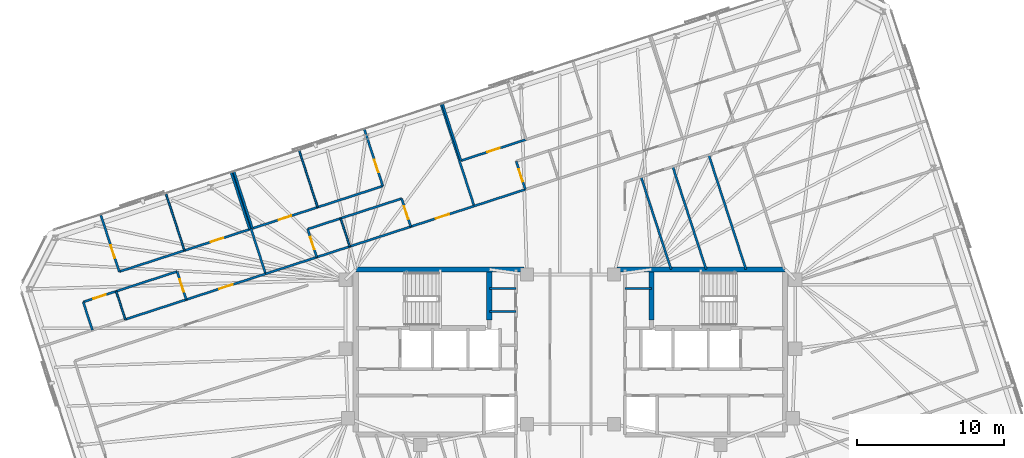
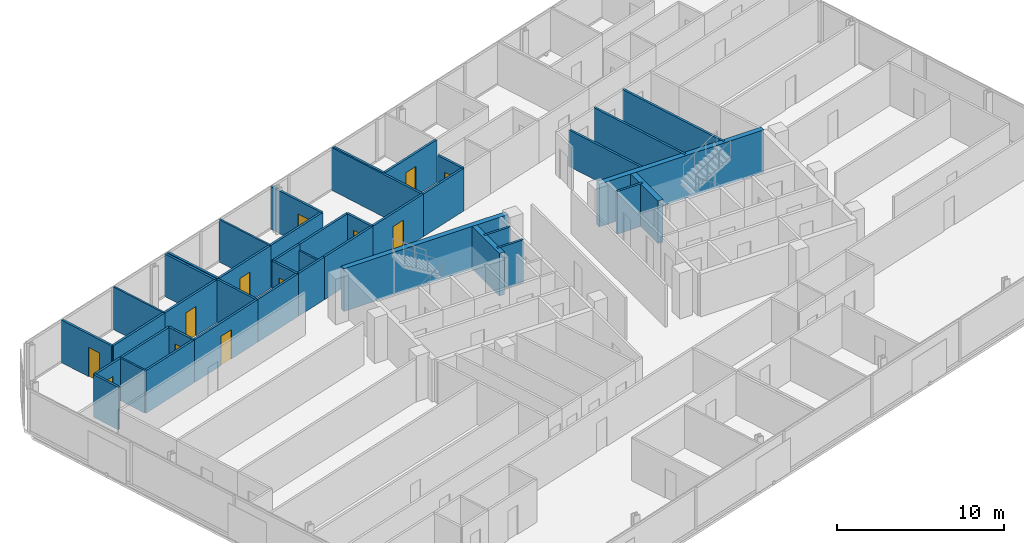
# One storey, part 16 of 20: 42 walls, 12 doors, 12 openings.
"""IFC4 building model written with IfcOpenShell, lengths in metres."""

from ifc_helpers import new_model, si_unit, direction, frame, frame_2d, origin, place, context, subcontext, project, spatial, rectangle, extrude, material, layer, layer_set, type_object, element, fill, save


model = new_model("IFC4")

# Units and contexts
model_context = context("Model", 3, precision=1e-05, world=origin(), true_north=direction((0.0, 1.0)))
body_context = subcontext(model_context, "Body", "Model", "MODEL_VIEW")
ifc_project = project(units=[si_unit("LENGTHUNIT", "METRE"), si_unit("AREAUNIT", "SQUARE_METRE"), si_unit("VOLUMEUNIT", "CUBIC_METRE"), si_unit("PLANEANGLEUNIT", "RADIAN"), si_unit("MASSUNIT", "GRAM", prefix="KILO")], contexts=[model_context])

# Site, building, storey
site_placement = place(None, origin())
site = spatial("IfcSite", under=ifc_project, at=site_placement, CompositionType="ELEMENT")
building_placement = place(site_placement, origin())
building = spatial("IfcBuilding", under=site, at=building_placement, Name="Menara Jurai Vektor", CompositionType="ELEMENT")
storey_placement = place(building_placement, frame((0.0, 0.0, 224.300048828125)))
storey = spatial("IfcBuildingStorey", under=building, at=storey_placement, Name="L59", CompositionType="ELEMENT", Elevation=224.300048828125)

# Walls
ifc_material_1 = material(Name="Gypsum Fireboard Partition", Category="gypsum")
ifc_layer_1 = layer(ifc_material_1, 0.14990234375)
ifc_layer_set_1 = layer_set([ifc_layer_1], Name="Gypsum Fireboard Partition")
wall_type_1 = type_object("IfcWallType", Name="INT-WALL-CORR-150", PredefinedType="PARTITIONING", material=ifc_layer_set_1)
for number, where, z_axis, x_axis, name in (
    (1, (-5.5, 4.300048828125, 0.0), (0.0, 0.0, 1.0), (1.0, 0.0, 0.0), "Interior Wall IW-150 L59"),
    (2, (-5.5, 2.75, 0.0), (0.0, 0.0, 1.0), (1.0, 0.0, 0.0), "Interior Wall IW-150 L59"),
    (3, (3.699951171875, 4.300048828125, 0.0), (0.0, 0.0, 1.0), (1.0, 0.0, 0.0), "Interior Wall IW-150 L59"),
):
    element("IfcWall", number, at=place(storey_placement, frame(where, z_axis=z_axis, x_axis=x_axis)), inside=storey, type_object=wall_type_1, Name=name, PredefinedType="PARTITIONING", context=body_context, shape_type="SweptSolid", body=[
        extrude(rectangle(XDim=1.800048828125, YDim=0.14990234375, at=frame_2d((0.89990234375, 0.0))), origin(), (0.0, 0.0, 1.0), 3.125),
    ])

# Wall, opening, door
wall_1_placement = place(storey_placement, frame((-26.0546875, 3.549560546875, 0.0), z_axis=(0.0, 0.0, 1.0), x_axis=(0.951063554534, 0.308995332064, 0.0)))
wall_1 = element("IfcWall", 4, at=wall_1_placement, inside=storey, type_object=wall_type_1, Name="Interior Wall IW-150 L59", PredefinedType="PARTITIONING", context=body_context, shape_type="SweptSolid", body=[
    extrude(rectangle(XDim=5.657958984375, YDim=0.14990234375, at=frame_2d((2.8291015625, 0.0))), origin(), (0.0, 0.0, 1.0), 3.125),
])
opening_1_placement = place(wall_1_placement, frame((2.35400390625, 0.0, 0.0)))
opening_1 = element("IfcOpeningElement", 5, at=opening_1_placement, cuts=wall_1, Name="Opening D59-10", PredefinedType="OPENING", context=body_context, shape_type="SweptSolid", body=[
    extrude(rectangle(XDim=0.949951171875, YDim=2.14990234375, at=frame_2d((0.47509765625, 1.074951171875))), frame((0.0, 0.0849609375, 0.0), z_axis=(0.0, -1.0, 0.0), x_axis=(1.0, 0.0, 0.0)), (0.0, 0.0, 1.0), 0.169921875),
])
ifc_material_2 = material(Name="Solid Core Timber Fire Door", Category="wood")
door_type_1 = type_object("IfcDoorType", Name="DR-ENTRY-950", OperationType="NOTDEFINED", PredefinedType="DOOR", material=ifc_material_2)
door_1_placement = place(opening_1_placement, origin())
door_1 = element("IfcDoor", 6, at=door_1_placement, inside=storey, type_object=door_type_1, Name="Interior Door D59-10", OperationType="SINGLE_SWING_RIGHT", OverallHeight=2.14990234375, OverallWidth=0.949951171875, PredefinedType="DOOR", context=body_context, shape_type="SweptSolid", body=[
    extrude(rectangle(XDim=0.949951171875, YDim=2.14990234375, at=frame_2d((0.47509765625, 1.074951171875))), frame((0.0, 0.02490234375, 0.0), z_axis=(0.0, -1.0, 0.0), x_axis=(1.0, 0.0, 0.0)), (0.0, 0.0, 1.0), 0.050048828125),
])
fill(opening_1, door_1)

# Walls
wall_2_placement = place(storey_placement, frame((-30.191650390625, 2.205322265625, 0.0), z_axis=(0.0, 0.0, 1.0), x_axis=(0.951052627573, 0.309028962374, 0.0)))
element("IfcWall", 7, at=wall_2_placement, inside=storey, type_object=wall_type_1, Name="Interior Wall IW-150 L59", PredefinedType="PARTITIONING", context=body_context, shape_type="SweptSolid", body=[
    extrude(rectangle(XDim=4.349853515625, YDim=0.14990234375, at=frame_2d((2.1748046875, 0.0))), origin(), (0.0, 0.0, 1.0), 3.125),
])
wall_3_placement = place(storey_placement, frame((-20.673583984375, 5.2978515625, 0.0), z_axis=(0.0, 0.0, 1.0), x_axis=(0.951057168147, 0.309014988174, 0.0)))
element("IfcWall", 8, at=wall_3_placement, inside=storey, type_object=wall_type_1, Name="Interior Wall IW-150 L59", PredefinedType="PARTITIONING", context=body_context, shape_type="SweptSolid", body=[
    extrude(rectangle(XDim=3.650146484375, YDim=0.14990234375, at=frame_2d((1.8251953125, 0.0))), origin(), (0.0, 0.0, 1.0), 3.125),
])

# Wall, opening, door
wall_4_placement = place(storey_placement, frame((-10.830078125, 8.496337890625, 0.0), z_axis=(0.0, 0.0, 1.0), x_axis=(0.951063822327, 0.308994507816, 0.0)))
wall_4 = element("IfcWall", 9, at=wall_4_placement, inside=storey, type_object=wall_type_1, Name="Interior Wall IW-150 L59", PredefinedType="PARTITIONING", context=body_context, shape_type="SweptSolid", body=[
    extrude(rectangle(XDim=4.521728515625, YDim=0.14990234375, at=frame_2d((2.2607421875, 0.0))), origin(), (0.0, 0.0, 1.0), 3.125),
])
opening_2_placement = place(wall_4_placement, frame((1.785888671875, 0.0, 0.0)))
opening_2 = element("IfcOpeningElement", 10, at=opening_2_placement, cuts=wall_4, Name="Opening D59-15", PredefinedType="OPENING", context=body_context, shape_type="SweptSolid", body=[
    extrude(rectangle(XDim=0.949951171875, YDim=2.14990234375, at=frame_2d((0.47509765625, 1.074951171875))), frame((0.0, 0.0849609375, 0.0), z_axis=(0.0, -1.0, 0.0), x_axis=(1.0, 0.0, 0.0)), (0.0, 0.0, 1.0), 0.169921875),
])
door_2_placement = place(opening_2_placement, origin())
door_2 = element("IfcDoor", 11, at=door_2_placement, inside=storey, type_object=door_type_1, Name="Interior Door D59-15", OperationType="SINGLE_SWING_LEFT", OverallHeight=2.14990234375, OverallWidth=0.949951171875, PredefinedType="DOOR", context=body_context, shape_type="SweptSolid", body=[
    extrude(rectangle(XDim=0.949951171875, YDim=2.14990234375, at=frame_2d((0.47509765625, 1.074951171875))), frame((0.0, 0.02490234375, 0.0), z_axis=(0.0, -1.0, 0.0), x_axis=(1.0, 0.0, 0.0)), (0.0, 0.0, 1.0), 0.050048828125),
])
fill(opening_2, door_2)

# Walls
wall_5_placement = place(storey_placement, frame((-17.2021484375, 6.42578125, 0.0), z_axis=(0.0, 0.0, 1.0), x_axis=(0.951035595692, 0.309081373955, 0.0)))
element("IfcWall", 12, at=wall_5_placement, inside=storey, type_object=wall_type_1, Name="Interior Wall IW-150 L59", PredefinedType="PARTITIONING", context=body_context, shape_type="SweptSolid", body=[
    extrude(rectangle(XDim=2.349853515625, YDim=0.14990234375, at=frame_2d((1.1748046875, 0.0))), origin(), (0.0, 0.0, 1.0), 3.125),
])
wall_6_placement = place(storey_placement, frame((-14.96728515625, 7.152099609375, 0.0), z_axis=(0.0, 0.0, 1.0), x_axis=(0.951057987102, 0.309012467661, 0.0)))
element("IfcWall", 13, at=wall_6_placement, inside=storey, type_object=wall_type_1, Name="Interior Wall IW-150 L59", PredefinedType="PARTITIONING", context=body_context, shape_type="SweptSolid", body=[
    extrude(rectangle(XDim=4.35009765625, YDim=0.14990234375, at=frame_2d((2.175048828125, 0.0))), origin(), (0.0, 0.0, 1.0), 3.125),
])
wall_7_placement = place(storey_placement, frame((-6.529541015625, 9.8935546875, 0.0), z_axis=(0.0, 0.0, 1.0), x_axis=(0.951057168147, 0.309014988174, 0.0)))
element("IfcWall", 14, at=wall_7_placement, inside=storey, type_object=wall_type_1, Name="Interior Wall IW-150 L59", PredefinedType="PARTITIONING", context=body_context, shape_type="SweptSolid", body=[
    extrude(rectangle(XDim=3.650146484375, YDim=0.14990234375, at=frame_2d((1.8251953125, 0.0))), origin(), (0.0, 0.0, 1.0), 3.125),
])
wall_8_placement = place(storey_placement, frame((-32.4267578125, 1.47900390625, 0.0), z_axis=(0.0, 0.0, 1.0), x_axis=(-0.309022749039, 0.951054646472, 0.0)))
element("IfcWall", 15, at=wall_8_placement, inside=storey, type_object=wall_type_1, Name="Interior Wall IW-150 L59", PredefinedType="PARTITIONING", context=body_context, shape_type="SweptSolid", body=[
    extrude(rectangle(XDim=2.005126953125, YDim=0.14990234375, at=frame_2d((1.00244140625, 0.0))), origin(), (0.0, 0.0, 1.0), 3.125),
])

# Wall, opening, door
wall_9_placement = place(storey_placement, frame((-33.04638671875, 3.385986328125, 0.0), z_axis=(0.0, 0.0, 1.0), x_axis=(0.951045519245, 0.309050837767, 0.0)))
wall_9 = element("IfcWall", 16, at=wall_9_placement, inside=storey, type_object=wall_type_1, Name="Interior Wall IW-150 L59", PredefinedType="PARTITIONING", context=body_context, shape_type="SweptSolid", body=[
    extrude(rectangle(XDim=2.35009765625, YDim=0.14990234375, at=frame_2d((1.175048828125, 0.0))), origin(), (0.0, 0.0, 1.0), 3.125),
])
opening_3_placement = place(wall_9_placement, frame((0.735107421875, 0.0, 0.0)))
opening_3 = element("IfcOpeningElement", 17, at=opening_3_placement, cuts=wall_9, Name="Opening D59-11", PredefinedType="OPENING", context=body_context, shape_type="SweptSolid", body=[
    extrude(rectangle(XDim=0.8798828125, YDim=2.14990234375, at=frame_2d((0.43994140625, 1.074951171875))), frame((0.0, 0.0849609375, 0.0), z_axis=(0.0, -1.0, 0.0), x_axis=(1.0, 0.0, 0.0)), (0.0, 0.0, 1.0), 0.169921875),
])
ifc_material_3 = material(Name="Moisture-Resistant Timber Door", Category="wood")
door_type_2 = type_object("IfcDoorType", Name="DR-BATH-880", OperationType="NOTDEFINED", PredefinedType="DOOR", material=ifc_material_3)
door_3_placement = place(opening_3_placement, origin())
door_3 = element("IfcDoor", 18, at=door_3_placement, inside=storey, type_object=door_type_2, Name="Interior Door D59-11", OperationType="SINGLE_SWING_LEFT", OverallHeight=2.14990234375, OverallWidth=0.8798828125, PredefinedType="DOOR", context=body_context, shape_type="SweptSolid", body=[
    extrude(rectangle(XDim=0.8798828125, YDim=2.14990234375, at=frame_2d((0.43994140625, 1.074951171875))), frame((0.0, 0.02490234375, 0.0), z_axis=(0.0, -1.0, 0.0), x_axis=(1.0, 0.0, 0.0)), (0.0, 0.0, 1.0), 0.050048828125),
])
fill(opening_3, door_3)

# Wall
wall_10_placement = place(storey_placement, frame((-30.811279296875, 4.1123046875, 0.0), z_axis=(0.0, 0.0, 1.0), x_axis=(0.951069122051, 0.308978195154, 0.0)))
element("IfcWall", 19, at=wall_10_placement, inside=storey, type_object=wall_type_1, Name="Interior Wall IW-150 L59", PredefinedType="PARTITIONING", context=body_context, shape_type="SweptSolid", body=[
    extrude(rectangle(XDim=4.349853515625, YDim=0.14990234375, at=frame_2d((2.1748046875, 0.0))), origin(), (0.0, 0.0, 1.0), 3.125),
])

# Wall, opening, door
wall_11_placement = place(storey_placement, frame((-26.0546875, 3.549560546875, 0.0), z_axis=(0.0, 0.0, 1.0), x_axis=(-0.309058537449, 0.951043017129, 0.0)))
wall_11 = element("IfcWall", 20, at=wall_11_placement, inside=storey, type_object=wall_type_1, Name="Interior Wall IW-150 L59", PredefinedType="PARTITIONING", context=body_context, shape_type="SweptSolid", body=[
    extrude(rectangle(XDim=2.0048828125, YDim=0.14990234375, at=frame_2d((1.00244140625, 0.0))), origin(), (0.0, 0.0, 1.0), 3.125),
])
opening_4_placement = place(wall_11_placement, frame((0.552490234375, 0.0, 0.0)))
opening_4 = element("IfcOpeningElement", 21, at=opening_4_placement, cuts=wall_11, Name="Opening D59-12", PredefinedType="OPENING", context=body_context, shape_type="SweptSolid", body=[
    extrude(rectangle(XDim=0.89990234375, YDim=2.14990234375, at=frame_2d((0.449951171875, 1.074951171875))), frame((0.0, 0.0849609375, 0.0), z_axis=(0.0, -1.0, 0.0), x_axis=(1.0, 0.0, 0.0)), (0.0, 0.0, 1.0), 0.169921875),
])
ifc_material_4 = material(Name="Acoustic Timber Interior Door", Category="wood")
door_type_3 = type_object("IfcDoorType", Name="DR-ROOM-900", OperationType="NOTDEFINED", PredefinedType="DOOR", material=ifc_material_4)
door_4_placement = place(opening_4_placement, origin())
door_4 = element("IfcDoor", 22, at=door_4_placement, inside=storey, type_object=door_type_3, Name="Interior Door D59-12", OperationType="SINGLE_SWING_RIGHT", OverallHeight=2.14990234375, OverallWidth=0.89990234375, PredefinedType="DOOR", context=body_context, shape_type="SweptSolid", body=[
    extrude(rectangle(XDim=0.89990234375, YDim=2.14990234375, at=frame_2d((0.449951171875, 1.074951171875))), frame((0.0, 0.02490234375, 0.0), z_axis=(0.0, -1.0, 0.0), x_axis=(1.0, 0.0, 0.0)), (0.0, 0.0, 1.0), 0.050048828125),
])
fill(opening_4, door_4)

wall_12_placement = place(storey_placement, frame((-30.60400390625, 5.44140625, 0.0), z_axis=(0.0, 0.0, 1.0), x_axis=(-0.309018403393, 0.951056058476, 0.0)))
wall_12 = element("IfcWall", 23, at=wall_12_placement, inside=storey, type_object=wall_type_1, Name="Interior Wall IW-150 L59", PredefinedType="PARTITIONING", context=body_context, shape_type="SweptSolid", body=[
    extrude(rectangle(XDim=4.0791015625, YDim=0.14990234375, at=frame_2d((2.03955078125, 0.0))), origin(), (0.0, 0.0, 1.0), 3.125),
])
opening_5_placement = place(wall_12_placement, frame((0.977783203125, 0.0, 0.0)))
opening_5 = element("IfcOpeningElement", 24, at=opening_5_placement, cuts=wall_12, Name="Opening D59-13", PredefinedType="OPENING", context=body_context, shape_type="SweptSolid", body=[
    extrude(rectangle(XDim=0.89990234375, YDim=2.14990234375, at=frame_2d((0.449951171875, 1.074951171875))), frame((0.0, 0.0849609375, 0.0), z_axis=(0.0, -1.0, 0.0), x_axis=(1.0, 0.0, 0.0)), (0.0, 0.0, 1.0), 0.169921875),
])
door_5_placement = place(opening_5_placement, origin())
door_5 = element("IfcDoor", 25, at=door_5_placement, inside=storey, type_object=door_type_3, Name="Interior Door D59-13", OperationType="SINGLE_SWING_LEFT", OverallHeight=2.14990234375, OverallWidth=0.89990234375, PredefinedType="DOOR", context=body_context, shape_type="SweptSolid", body=[
    extrude(rectangle(XDim=0.89990234375, YDim=2.14990234375, at=frame_2d((0.449951171875, 1.074951171875))), frame((0.0, 0.02490234375, 0.0), z_axis=(0.0, -1.0, 0.0), x_axis=(1.0, 0.0, 0.0)), (0.0, 0.0, 1.0), 0.050048828125),
])
fill(opening_5, door_5)

# Wall
wall_13_placement = place(storey_placement, frame((-30.60400390625, 5.44140625, 0.0), z_axis=(0.0, 0.0, 1.0), x_axis=(0.951070715387, 0.308973290646, 0.0)))
element("IfcWall", 26, at=wall_13_placement, inside=storey, type_object=wall_type_1, Name="Interior Wall IW-150 L59", PredefinedType="PARTITIONING", context=body_context, shape_type="SweptSolid", body=[
    extrude(rectangle(XDim=4.650146484375, YDim=0.14990234375, at=frame_2d((2.3251953125, 0.0))), origin(), (0.0, 0.0, 1.0), 3.125),
])

# Wall, opening, door
wall_14_placement = place(storey_placement, frame((-26.181396484375, 6.878173828125, 0.0), z_axis=(0.0, 0.0, 1.0), x_axis=(0.951050272606, 0.309036209813, 0.0)))
wall_14 = element("IfcWall", 27, at=wall_14_placement, inside=storey, type_object=wall_type_1, Name="Interior Wall IW-150 L59", PredefinedType="PARTITIONING", context=body_context, shape_type="SweptSolid", body=[
    extrude(rectangle(XDim=4.64990234375, YDim=0.14990234375, at=frame_2d((2.324951171875, 0.0))), origin(), (0.0, 0.0, 1.0), 3.125),
])
opening_6_placement = place(wall_14_placement, frame((1.875, 0.0, 0.0)))
opening_6 = element("IfcOpeningElement", 28, at=opening_6_placement, cuts=wall_14, Name="Opening D59-14", PredefinedType="OPENING", context=body_context, shape_type="SweptSolid", body=[
    extrude(rectangle(XDim=0.89990234375, YDim=2.14990234375, at=frame_2d((0.449951171875, 1.074951171875))), frame((0.0, 0.0849609375, 0.0), z_axis=(0.0, -1.0, 0.0), x_axis=(1.0, 0.0, 0.0)), (0.0, 0.0, 1.0), 0.169921875),
])
door_6_placement = place(opening_6_placement, origin())
door_6 = element("IfcDoor", 29, at=door_6_placement, inside=storey, type_object=door_type_3, Name="Interior Door D59-14", OperationType="SINGLE_SWING_RIGHT", OverallHeight=2.14990234375, OverallWidth=0.89990234375, PredefinedType="DOOR", context=body_context, shape_type="SweptSolid", body=[
    extrude(rectangle(XDim=0.89990234375, YDim=2.14990234375, at=frame_2d((0.449951171875, 1.074951171875))), frame((0.0, 0.02490234375, 0.0), z_axis=(0.0, -1.0, 0.0), x_axis=(1.0, 0.0, 0.0)), (0.0, 0.0, 1.0), 0.050048828125),
])
fill(opening_6, door_6)

# Walls
wall_15_placement = place(storey_placement, frame((-21.759033203125, 8.315185546875, 0.0), z_axis=(0.0, 0.0, 1.0), x_axis=(-0.309018403393, 0.951056058476, 0.0)))
element("IfcWall", 30, at=wall_15_placement, inside=storey, type_object=wall_type_1, Name="Interior Wall IW-150 L59", PredefinedType="PARTITIONING", context=body_context, shape_type="SweptSolid", body=[
    extrude(rectangle(XDim=4.0791015625, YDim=0.14990234375, at=frame_2d((2.03955078125, 0.0))), origin(), (0.0, 0.0, 1.0), 3.125),
])
wall_16_placement = place(storey_placement, frame((-20.673583984375, 5.2978515625, 0.0), z_axis=(0.0, 0.0, 1.0), x_axis=(-0.309029230739, 0.951052540372, 0.0)))
element("IfcWall", 31, at=wall_16_placement, inside=storey, type_object=wall_type_1, Name="Interior Wall IW-150 L59", PredefinedType="PARTITIONING", context=body_context, shape_type="SweptSolid", body=[
    extrude(rectangle(XDim=7.283935546875, YDim=0.14990234375, at=frame_2d((3.64208984375, 0.0))), origin(), (0.0, 0.0, 1.0), 3.125),
])

# Wall, opening, door
wall_17_placement = place(storey_placement, frame((-17.2021484375, 6.42578125, 0.0), z_axis=(0.0, 0.0, 1.0), x_axis=(-0.309022749039, 0.951054646472, 0.0)))
wall_17 = element("IfcWall", 32, at=wall_17_placement, inside=storey, type_object=wall_type_1, Name="Interior Wall IW-150 L59", PredefinedType="PARTITIONING", context=body_context, shape_type="SweptSolid", body=[
    extrude(rectangle(XDim=2.005126953125, YDim=0.14990234375, at=frame_2d((1.00244140625, 0.0))), origin(), (0.0, 0.0, 1.0), 3.125),
])
opening_7_placement = place(wall_17_placement, frame((0.5625, 0.0, 0.0)))
opening_7 = element("IfcOpeningElement", 33, at=opening_7_placement, cuts=wall_17, Name="Opening D59-16", PredefinedType="OPENING", context=body_context, shape_type="SweptSolid", body=[
    extrude(rectangle(XDim=0.8798828125, YDim=2.14990234375, at=frame_2d((0.43994140625, 1.074951171875))), frame((0.0, 0.0849609375, 0.0), z_axis=(0.0, -1.0, 0.0), x_axis=(1.0, 0.0, 0.0)), (0.0, 0.0, 1.0), 0.169921875),
])
door_7_placement = place(opening_7_placement, origin())
door_7 = element("IfcDoor", 34, at=door_7_placement, inside=storey, type_object=door_type_2, Name="Interior Door D59-16", OperationType="SINGLE_SWING_RIGHT", OverallHeight=2.14990234375, OverallWidth=0.8798828125, PredefinedType="DOOR", context=body_context, shape_type="SweptSolid", body=[
    extrude(rectangle(XDim=0.8798828125, YDim=2.14990234375, at=frame_2d((0.43994140625, 1.074951171875))), frame((0.0, 0.02490234375, 0.0), z_axis=(0.0, -1.0, 0.0), x_axis=(1.0, 0.0, 0.0)), (0.0, 0.0, 1.0), 0.050048828125),
])
fill(opening_7, door_7)

# Walls
wall_18_placement = place(storey_placement, frame((-17.82177734375, 8.332763671875, 0.0), z_axis=(0.0, 0.0, 1.0), x_axis=(0.951066131077, 0.308987401554, 0.0)))
element("IfcWall", 35, at=wall_18_placement, inside=storey, type_object=wall_type_1, Name="Interior Wall IW-150 L59", PredefinedType="PARTITIONING", context=body_context, shape_type="SweptSolid", body=[
    extrude(rectangle(XDim=2.349853515625, YDim=0.14990234375, at=frame_2d((1.1748046875, 0.0))), origin(), (0.0, 0.0, 1.0), 3.125),
])
wall_19_placement = place(storey_placement, frame((-15.5869140625, 9.058837890625, 0.0), z_axis=(0.0, 0.0, 1.0), x_axis=(0.951057987102, 0.309012467661, 0.0)))
element("IfcWall", 36, at=wall_19_placement, inside=storey, type_object=wall_type_1, Name="Interior Wall IW-150 L59", PredefinedType="PARTITIONING", context=body_context, shape_type="SweptSolid", body=[
    extrude(rectangle(XDim=4.35009765625, YDim=0.14990234375, at=frame_2d((2.175048828125, 0.0))), origin(), (0.0, 0.0, 1.0), 3.125),
])

# Wall, opening, door
wall_20_placement = place(storey_placement, frame((-10.830078125, 8.496337890625, 0.0), z_axis=(0.0, 0.0, 1.0), x_axis=(-0.309058537449, 0.951043017129, 0.0)))
wall_20 = element("IfcWall", 37, at=wall_20_placement, inside=storey, type_object=wall_type_1, Name="Interior Wall IW-150 L59", PredefinedType="PARTITIONING", context=body_context, shape_type="SweptSolid", body=[
    extrude(rectangle(XDim=2.0048828125, YDim=0.14990234375, at=frame_2d((1.00244140625, 0.0))), origin(), (0.0, 0.0, 1.0), 3.125),
])
opening_8_placement = place(wall_20_placement, frame((0.552490234375, 0.0, 0.0)))
opening_8 = element("IfcOpeningElement", 38, at=opening_8_placement, cuts=wall_20, Name="Opening D59-17", PredefinedType="OPENING", context=body_context, shape_type="SweptSolid", body=[
    extrude(rectangle(XDim=0.89990234375, YDim=2.14990234375, at=frame_2d((0.449951171875, 1.074951171875))), frame((0.0, 0.0849609375, 0.0), z_axis=(0.0, -1.0, 0.0), x_axis=(1.0, 0.0, 0.0)), (0.0, 0.0, 1.0), 0.169921875),
])
door_8_placement = place(opening_8_placement, origin())
door_8 = element("IfcDoor", 39, at=door_8_placement, inside=storey, type_object=door_type_3, Name="Interior Door D59-17", OperationType="SINGLE_SWING_LEFT", OverallHeight=2.14990234375, OverallWidth=0.89990234375, PredefinedType="DOOR", context=body_context, shape_type="SweptSolid", body=[
    extrude(rectangle(XDim=0.89990234375, YDim=2.14990234375, at=frame_2d((0.449951171875, 1.074951171875))), frame((0.0, 0.02490234375, 0.0), z_axis=(0.0, -1.0, 0.0), x_axis=(1.0, 0.0, 0.0)), (0.0, 0.0, 1.0), 0.050048828125),
])
fill(opening_8, door_8)

# Wall
wall_21_placement = place(storey_placement, frame((-21.56884765625, 8.376953125, 0.0), z_axis=(0.0, 0.0, 1.0), x_axis=(-0.309018403393, 0.951056058476, 0.0)))
element("IfcWall", 40, at=wall_21_placement, inside=storey, type_object=wall_type_1, Name="Interior Wall IW-150 L59", PredefinedType="PARTITIONING", context=body_context, shape_type="SweptSolid", body=[
    extrude(rectangle(XDim=4.0791015625, YDim=0.14990234375, at=frame_2d((2.03955078125, 0.0))), origin(), (0.0, 0.0, 1.0), 3.125),
])

# Wall, opening, door
wall_22_placement = place(storey_placement, frame((-21.56884765625, 8.376953125, 0.0), z_axis=(0.0, 0.0, 1.0), x_axis=(0.951050272606, 0.309036209813, 0.0)))
wall_22 = element("IfcWall", 41, at=wall_22_placement, inside=storey, type_object=wall_type_1, Name="Interior Wall IW-150 L59", PredefinedType="PARTITIONING", context=body_context, shape_type="SweptSolid", body=[
    extrude(rectangle(XDim=4.64990234375, YDim=0.14990234375, at=frame_2d((2.324951171875, 0.0))), origin(), (0.0, 0.0, 1.0), 3.125),
])
opening_9_placement = place(wall_22_placement, frame((1.875, 0.0, 0.0)))
opening_9 = element("IfcOpeningElement", 42, at=opening_9_placement, cuts=wall_22, Name="Opening D59-18", PredefinedType="OPENING", context=body_context, shape_type="SweptSolid", body=[
    extrude(rectangle(XDim=0.89990234375, YDim=2.14990234375, at=frame_2d((0.449951171875, 1.074951171875))), frame((0.0, 0.0849609375, 0.0), z_axis=(0.0, -1.0, 0.0), x_axis=(1.0, 0.0, 0.0)), (0.0, 0.0, 1.0), 0.169921875),
])
door_9_placement = place(opening_9_placement, origin())
door_9 = element("IfcDoor", 43, at=door_9_placement, inside=storey, type_object=door_type_3, Name="Interior Door D59-18", OperationType="SINGLE_SWING_RIGHT", OverallHeight=2.14990234375, OverallWidth=0.89990234375, PredefinedType="DOOR", context=body_context, shape_type="SweptSolid", body=[
    extrude(rectangle(XDim=0.89990234375, YDim=2.14990234375, at=frame_2d((0.449951171875, 1.074951171875))), frame((0.0, 0.02490234375, 0.0), z_axis=(0.0, -1.0, 0.0), x_axis=(1.0, 0.0, 0.0)), (0.0, 0.0, 1.0), 0.050048828125),
])
fill(opening_9, door_9)

# Wall
wall_23_placement = place(storey_placement, frame((-17.146484375, 9.81396484375, 0.0), z_axis=(0.0, 0.0, 1.0), x_axis=(0.951065702951, 0.308988719326, 0.0)))
element("IfcWall", 44, at=wall_23_placement, inside=storey, type_object=wall_type_1, Name="Interior Wall IW-150 L59", PredefinedType="PARTITIONING", context=body_context, shape_type="SweptSolid", body=[
    extrude(rectangle(XDim=4.64990234375, YDim=0.14990234375, at=frame_2d((2.324951171875, 0.0))), origin(), (0.0, 0.0, 1.0), 3.125),
])

# Wall, opening, door
wall_24_placement = place(storey_placement, frame((-12.72412109375, 11.250732421875, 0.0), z_axis=(0.0, 0.0, 1.0), x_axis=(-0.309018403393, 0.951056058476, 0.0)))
wall_24 = element("IfcWall", 45, at=wall_24_placement, inside=storey, type_object=wall_type_1, Name="Interior Wall IW-150 L59", PredefinedType="PARTITIONING", context=body_context, shape_type="SweptSolid", body=[
    extrude(rectangle(XDim=4.0791015625, YDim=0.14990234375, at=frame_2d((2.03955078125, 0.0))), origin(), (0.0, 0.0, 1.0), 3.125),
])
opening_10_placement = place(wall_24_placement, frame((0.977783203125, 0.0, 0.0)))
opening_10 = element("IfcOpeningElement", 46, at=opening_10_placement, cuts=wall_24, Name="Opening D59-19", PredefinedType="OPENING", context=body_context, shape_type="SweptSolid", body=[
    extrude(rectangle(XDim=0.89990234375, YDim=2.14990234375, at=frame_2d((0.449951171875, 1.074951171875))), frame((0.0, 0.0849609375, 0.0), z_axis=(0.0, -1.0, 0.0), x_axis=(1.0, 0.0, 0.0)), (0.0, 0.0, 1.0), 0.169921875),
])
door_10_placement = place(opening_10_placement, origin())
door_10 = element("IfcDoor", 47, at=door_10_placement, inside=storey, type_object=door_type_3, Name="Interior Door D59-19", OperationType="SINGLE_SWING_LEFT", OverallHeight=2.14990234375, OverallWidth=0.89990234375, PredefinedType="DOOR", context=body_context, shape_type="SweptSolid", body=[
    extrude(rectangle(XDim=0.89990234375, YDim=2.14990234375, at=frame_2d((0.449951171875, 1.074951171875))), frame((0.0, 0.02490234375, 0.0), z_axis=(0.0, -1.0, 0.0), x_axis=(1.0, 0.0, 0.0)), (0.0, 0.0, 1.0), 0.050048828125),
])
fill(opening_10, door_10)

# Wall
wall_25_placement = place(storey_placement, frame((-6.529541015625, 9.8935546875, 0.0), z_axis=(0.0, 0.0, 1.0), x_axis=(-0.308998913866, 0.951062390819, 0.0)))
element("IfcWall", 48, at=wall_25_placement, inside=storey, type_object=wall_type_1, Name="Interior Wall IW-150 L59", PredefinedType="PARTITIONING", context=body_context, shape_type="SweptSolid", body=[
    extrude(rectangle(XDim=7.283935546875, YDim=0.14990234375, at=frame_2d((3.64208984375, 0.0))), origin(), (0.0, 0.0, 1.0), 3.125),
])

# Wall, opening, door
wall_26_placement = place(storey_placement, frame((-3.05810546875, 11.021484375, 0.0), z_axis=(0.0, 0.0, 1.0), x_axis=(-0.309022749039, 0.951054646472, 0.0)))
wall_26 = element("IfcWall", 49, at=wall_26_placement, inside=storey, type_object=wall_type_1, Name="Interior Wall IW-150 L59", PredefinedType="PARTITIONING", context=body_context, shape_type="SweptSolid", body=[
    extrude(rectangle(XDim=2.005126953125, YDim=0.14990234375, at=frame_2d((1.00244140625, 0.0))), origin(), (0.0, 0.0, 1.0), 3.125),
])
opening_11_placement = place(wall_26_placement, frame((0.5625, 0.0, 0.0)))
opening_11 = element("IfcOpeningElement", 50, at=opening_11_placement, cuts=wall_26, Name="Opening D59-21", PredefinedType="OPENING", context=body_context, shape_type="SweptSolid", body=[
    extrude(rectangle(XDim=0.8798828125, YDim=2.14990234375, at=frame_2d((0.43994140625, 1.074951171875))), frame((0.0, 0.0849609375, 0.0), z_axis=(0.0, -1.0, 0.0), x_axis=(1.0, 0.0, 0.0)), (0.0, 0.0, 1.0), 0.169921875),
])
door_11_placement = place(opening_11_placement, origin())
door_11 = element("IfcDoor", 51, at=door_11_placement, inside=storey, type_object=door_type_2, Name="Interior Door D59-21", OperationType="SINGLE_SWING_LEFT", OverallHeight=2.14990234375, OverallWidth=0.8798828125, PredefinedType="DOOR", context=body_context, shape_type="SweptSolid", body=[
    extrude(rectangle(XDim=0.8798828125, YDim=2.14990234375, at=frame_2d((0.43994140625, 1.074951171875))), frame((0.0, 0.02490234375, 0.0), z_axis=(0.0, -1.0, 0.0), x_axis=(1.0, 0.0, 0.0)), (0.0, 0.0, 1.0), 0.050048828125),
])
fill(opening_11, door_11)

# Wall
wall_27_placement = place(storey_placement, frame((-7.4248046875, 12.97265625, 0.0), z_axis=(0.0, 0.0, 1.0), x_axis=(-0.309018403393, 0.951056058476, 0.0)))
element("IfcWall", 52, at=wall_27_placement, inside=storey, type_object=wall_type_1, Name="Interior Wall IW-150 L59", PredefinedType="PARTITIONING", context=body_context, shape_type="SweptSolid", body=[
    extrude(rectangle(XDim=4.0791015625, YDim=0.14990234375, at=frame_2d((2.03955078125, 0.0))), origin(), (0.0, 0.0, 1.0), 3.125),
])

# Wall, opening, door
wall_28_placement = place(storey_placement, frame((-7.4248046875, 12.97265625, 0.0), z_axis=(0.0, 0.0, 1.0), x_axis=(0.951055286502, 0.309020779263, 0.0)))
wall_28 = element("IfcWall", 53, at=wall_28_placement, inside=storey, type_object=wall_type_1, Name="Interior Wall IW-150 L59", PredefinedType="PARTITIONING", context=body_context, shape_type="SweptSolid", body=[
    extrude(rectangle(XDim=4.650146484375, YDim=0.14990234375, at=frame_2d((2.3251953125, 0.0))), origin(), (0.0, 0.0, 1.0), 3.125),
])
opening_12_placement = place(wall_28_placement, frame((1.875, 0.0, 0.0)))
opening_12 = element("IfcOpeningElement", 54, at=opening_12_placement, cuts=wall_28, Name="Opening D59-23", PredefinedType="OPENING", context=body_context, shape_type="SweptSolid", body=[
    extrude(rectangle(XDim=0.89990234375, YDim=2.14990234375, at=frame_2d((0.449951171875, 1.074951171875))), frame((0.0, 0.0849609375, 0.0), z_axis=(0.0, -1.0, 0.0), x_axis=(1.0, 0.0, 0.0)), (0.0, 0.0, 1.0), 0.169921875),
])
door_12_placement = place(opening_12_placement, origin())
door_12 = element("IfcDoor", 55, at=door_12_placement, inside=storey, type_object=door_type_3, Name="Interior Door D59-23", OperationType="SINGLE_SWING_LEFT", OverallHeight=2.14990234375, OverallWidth=0.89990234375, PredefinedType="DOOR", context=body_context, shape_type="SweptSolid", body=[
    extrude(rectangle(XDim=0.89990234375, YDim=2.14990234375, at=frame_2d((0.449951171875, 1.074951171875))), frame((0.0, 0.02490234375, 0.0), z_axis=(0.0, -1.0, 0.0), x_axis=(1.0, 0.0, 0.0)), (0.0, 0.0, 1.0), 0.050048828125),
])
fill(opening_12, door_12)

# Walls
wall_29_placement = place(storey_placement, frame((9.207763671875, 5.599609375, 0.0), z_axis=(0.0, 0.0, 1.0), x_axis=(-0.309021275068, 0.951055125403, 0.0)))
element("IfcWall", 56, at=wall_29_placement, inside=storey, type_object=wall_type_1, Name="Interior Wall IW-150 L59", PredefinedType="PARTITIONING", context=body_context, shape_type="SweptSolid", body=[
    extrude(rectangle(XDim=7.326904296875, YDim=0.14990234375, at=frame_2d((3.66357421875, 0.0))), origin(), (0.0, 0.0, 1.0), 3.125),
])
wall_30_placement = place(storey_placement, frame((11.90771484375, 5.599853515625, 0.0), z_axis=(0.0, 0.0, 1.0), x_axis=(-0.308994076163, 0.951063962568, 0.0)))
element("IfcWall", 57, at=wall_30_placement, inside=storey, type_object=wall_type_1, Name="Interior Wall IW-150 L59", PredefinedType="PARTITIONING", context=body_context, shape_type="SweptSolid", body=[
    extrude(rectangle(XDim=8.1611328125, YDim=0.14990234375, at=frame_2d((4.08056640625, 0.0))), origin(), (0.0, 0.0, 1.0), 3.125),
])
ifc_layer_2 = layer(ifc_material_1, 0.14990234375)
ifc_layer_set_2 = layer_set([ifc_layer_2], Name="Gypsum Fireboard Partition")
wall_type_2 = type_object("IfcWallType", Name="INT-WALL-CORR-150-H1", PredefinedType="PARTITIONING", material=ifc_layer_set_2)
wall_31_placement = place(storey_placement, frame((6.83251953125, 5.599609375, 0.0), z_axis=(0.0, 0.0, 1.0), x_axis=(-0.309019923183, 0.951055564663, 0.0)))
element("IfcWall", 58, at=wall_31_placement, inside=storey, type_object=wall_type_2, Name="Interior Wall IW-150 L59", PredefinedType="PARTITIONING", context=body_context, shape_type="SweptSolid", body=[
    extrude(rectangle(XDim=6.593017578125, YDim=0.14990234375, at=frame_2d((3.29638671875, 0.0))), origin(), (0.0, 0.0, 1.0), 2.675048828125),
])
ifc_material_5 = material(Name="Gypsum Acoustic Stud Partition", Category="gypsum")
ifc_layer_3 = layer(ifc_material_5, 0.1201171875)
ifc_layer_set_3 = layer_set([ifc_layer_3], Name="Gypsum Acoustic Stud Partition")
wall_type_3 = type_object("IfcWallType", Name="INT-WALL-PART-120", PredefinedType="PARTITIONING", material=ifc_layer_set_3)
wall_32_placement = place(storey_placement, frame((-30.191650390625, 2.205322265625, 0.0), z_axis=(0.0, 0.0, 1.0), x_axis=(-0.309022749039, 0.951054646472, 0.0)))
element("IfcWall", 59, at=wall_32_placement, inside=storey, type_object=wall_type_3, Name="Interior Wall IW-120 L59", PredefinedType="PARTITIONING", context=body_context, shape_type="SweptSolid", body=[
    extrude(rectangle(XDim=2.005126953125, YDim=0.1201171875, at=frame_2d((1.00244140625, 0.0))), origin(), (0.0, 0.0, 1.0), 3.125),
])
for number, where, z_axis, x_axis, name in (
    (60, (-26.181396484375, 6.878173828125, 0.0), (0.0, 0.0, 1.0), (-0.309018403393, 0.951056058476, 0.0), "Interior Wall IW-120 L59"),
    (61, (-17.146484375, 9.81396484375, 0.0), (0.0, 0.0, 1.0), (-0.309018403393, 0.951056058476, 0.0), "Interior Wall IW-120 L59"),
):
    element("IfcWall", number, at=place(storey_placement, frame(where, z_axis=z_axis, x_axis=x_axis)), inside=storey, type_object=wall_type_3, Name=name, PredefinedType="PARTITIONING", context=body_context, shape_type="SweptSolid", body=[
        extrude(rectangle(XDim=4.0791015625, YDim=0.1201171875, at=frame_2d((2.03955078125, 0.0))), origin(), (0.0, 0.0, 1.0), 3.125),
    ])
ifc_layer_4 = layer(ifc_material_5, 0.1201171875)
ifc_layer_set_4 = layer_set([ifc_layer_4], Name="Gypsum Acoustic Stud Partition")
wall_type_4 = type_object("IfcWallType", Name="INT-WALL-PART-120-H1", PredefinedType="PARTITIONING", material=ifc_layer_set_4)
wall_33_placement = place(storey_placement, frame((-14.96728515625, 7.152099609375, 0.0), z_axis=(0.0, 0.0, 1.0), x_axis=(-0.309058537449, 0.951043017129, 0.0)))
element("IfcWall", 62, at=wall_33_placement, inside=storey, type_object=wall_type_4, Name="Interior Wall IW-120 L59", PredefinedType="PARTITIONING", context=body_context, shape_type="SweptSolid", body=[
    extrude(rectangle(XDim=2.0048828125, YDim=0.1201171875, at=frame_2d((1.00244140625, 0.0))), origin(), (0.0, 0.0, 1.0), 2.675048828125),
])
ifc_material_6 = material(Name="Concrete C50/60", Category="concrete")
ifc_layer_5 = layer(ifc_material_6, 0.35009765625)
ifc_layer_set_5 = layer_set([ifc_layer_5], Name="Concrete C50/60")
wall_type_5 = type_object("IfcWallType", Name="STR-WALL-CORE350", PredefinedType="SHEAR", material=ifc_layer_set_5)
wall_34_placement = place(storey_placement, frame((-14.56005859375, 5.60009765625, 0.0), z_axis=(0.0, 0.0, 1.0), x_axis=(1.0, 0.0, 0.0)))
element("IfcWall", 63, at=wall_34_placement, inside=storey, type_object=wall_type_5, Name="Core Shear Wall CW-W-N L59", PredefinedType="SHEAR", context=body_context, shape_type="SweptSolid", body=[
    extrude(rectangle(XDim=11.41015625, YDim=0.35009765625, at=frame_2d((5.705078125, 0.0))), origin(), (0.0, 0.0, 1.0), 3.125),
])
wall_35_placement = place(storey_placement, frame((-5.5, 2.14990234375, 0.0), z_axis=(0.0, 0.0, 1.0), x_axis=(0.0, 1.0, 0.0)))
element("IfcWall", 64, at=wall_35_placement, inside=storey, type_object=wall_type_5, Name="Core Shear Wall CW-W-ST L59", PredefinedType="SHEAR", context=body_context, shape_type="SweptSolid", body=[
    extrude(rectangle(XDim=3.275146484375, YDim=0.35009765625, at=frame_2d((1.6376953125, 0.0))), origin(), (0.0, 0.0, 1.0), 3.125),
])
wall_36_placement = place(storey_placement, frame((3.14990234375, 5.60009765625, 0.0), z_axis=(0.0, 0.0, 1.0), x_axis=(1.0, 0.0, 0.0)))
element("IfcWall", 65, at=wall_36_placement, inside=storey, type_object=wall_type_5, Name="Core Shear Wall CW-E-N L59", PredefinedType="SHEAR", context=body_context, shape_type="SweptSolid", body=[
    extrude(rectangle(XDim=11.41015625, YDim=0.35009765625, at=frame_2d((5.705078125, 0.0))), origin(), (0.0, 0.0, 1.0), 3.125),
])
wall_37_placement = place(storey_placement, frame((5.5, 2.14990234375, 0.0), z_axis=(0.0, 0.0, 1.0), x_axis=(0.0, 1.0, 0.0)))
element("IfcWall", 66, at=wall_37_placement, inside=storey, type_object=wall_type_5, Name="Core Shear Wall CW-E-ST L59", PredefinedType="SHEAR", context=body_context, shape_type="SweptSolid", body=[
    extrude(rectangle(XDim=3.275146484375, YDim=0.35009765625, at=frame_2d((1.6376953125, 0.0))), origin(), (0.0, 0.0, 1.0), 3.125),
])

save(model, "model.ifc")
